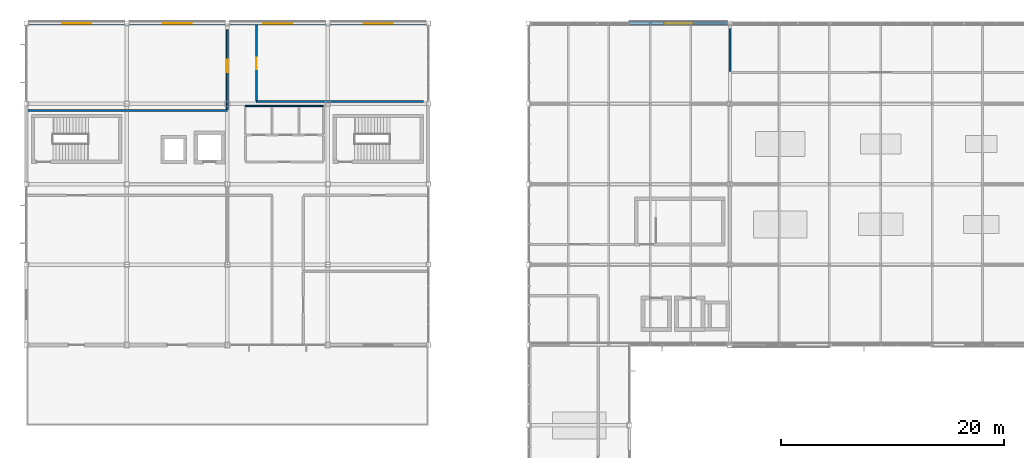
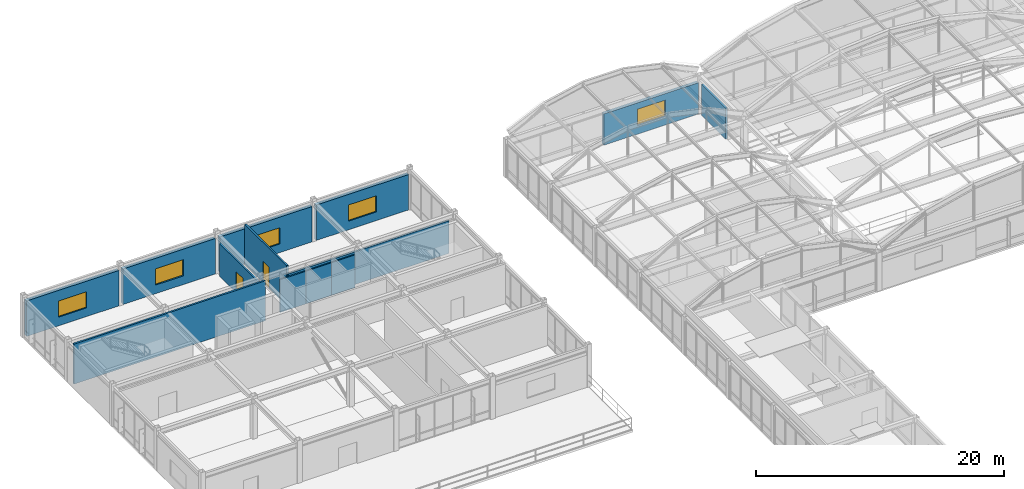
# One storey, part 88 of 106: 13 walls, 5 windows, 2 doors, 7 openings.
"""IFC4 building model written with IfcOpenShell, lengths in metres."""

from ifc_helpers import new_model, si_unit, direction, frame, frame_2d, origin, place, context, subcontext, project, spatial, rectangle, extrude, material, layer, layer_set, type_object, element, fill, save


model = new_model("IFC4")

# Units and contexts
model_context = context("Model", 3, precision=1e-05, world=origin(), true_north=direction((0.0, 1.0)))
body_context = subcontext(model_context, "Body", "Model", "MODEL_VIEW")
ifc_project = project(units=[si_unit("LENGTHUNIT", "METRE"), si_unit("AREAUNIT", "SQUARE_METRE"), si_unit("VOLUMEUNIT", "CUBIC_METRE"), si_unit("PLANEANGLEUNIT", "RADIAN"), si_unit("MASSUNIT", "GRAM", prefix="KILO")], contexts=[model_context])

# Site, building, storey
site_placement = place(None, origin())
site = spatial("IfcSite", under=ifc_project, at=site_placement, CompositionType="ELEMENT")
building_placement = place(site_placement, origin())
building = spatial("IfcBuilding", under=site, at=building_placement, Name="Kazanami Central Library", CompositionType="ELEMENT")
storey_placement = place(building_placement, frame((0.0, 0.0, 12.800048828125)))
storey = spatial("IfcBuildingStorey", under=building, at=storey_placement, Name="L04", CompositionType="ELEMENT", Elevation=12.800048828125)

# Wall, opening, window
ifc_material_1 = material(Name="Concrete Fc36 (36 MPa)", Category="concrete")
ifc_layer_1 = layer(ifc_material_1, 0.239990234375, Name="Concrete Fc36 (36 MPa)")
ifc_material_2 = material(Name="Extruded Polystyrene XPS", Category="earth")
ifc_layer_2 = layer(ifc_material_2, 0.050048828125, Name="Extruded Polystyrene XPS")
ifc_material_3 = material(Name="Honed Inada Granite", Category="masonry")
ifc_layer_3 = layer(ifc_material_3, 0.030029296875, Name="Honed Inada Granite")
ifc_layer_set_1 = layer_set([ifc_layer_1, ifc_layer_2, ifc_layer_3], Name="Concrete Fc36 (36 MPa)")
wall_type_1 = type_object("IfcWallType", Name="WAL-EW-320", PredefinedType="STANDARD", material=ifc_layer_set_1)
wall_1_placement = place(storey_placement, frame((8.800048828125, 93.60009765625, 0.0), z_axis=(0.0, 0.0, 1.0), x_axis=(-1.0, 0.0, 0.0)))
wall_1 = element("IfcWall", 1, at=wall_1_placement, inside=storey, type_object=wall_type_1, Name="Exterior Facade Wall EW-320 L04 N-O-00", PredefinedType="STANDARD", context=body_context, shape_type="SweptSolid", body=[
    extrude(rectangle(XDim=8.60009765625, YDim=0.320068359375, at=frame_2d((4.300048828125, 0.0))), origin(), (0.0, 0.0, 1.0), 3.489990234375),
])
opening_1_placement = place(wall_1_placement, frame((3.0, 0.0, 0.85009765625)))
opening_1 = element("IfcOpeningElement", 2, at=opening_1_placement, cuts=wall_1, Name="Opening WN-13", PredefinedType="OPENING", context=body_context, shape_type="SweptSolid", body=[
    extrude(rectangle(XDim=2.60009765625, YDim=1.60009765625, at=frame_2d((1.300048828125, 0.800048828125))), frame((0.0, 0.171875, 0.0), z_axis=(0.0, -1.0, 0.0), x_axis=(1.0, 0.0, 0.0)), (0.0, 0.0, 1.0), 0.343994140625),
])
ifc_material_4 = material(Name="Low-E Insulated Triple Glass", Category="glass")
window_type = type_object("IfcWindowType", Name="WIN-WN-13", PartitioningType="DOUBLE_PANEL_VERTICAL", PredefinedType="WINDOW", material=ifc_material_4)
window_1_placement = place(opening_1_placement, origin())
window_1 = element("IfcWindow", 3, at=window_1_placement, inside=storey, type_object=window_type, Name="Facade Window WN-13 L04 N-O-00", OverallHeight=1.60009765625, OverallWidth=2.60009765625, PartitioningType="DOUBLE_PANEL_VERTICAL", PredefinedType="WINDOW", context=body_context, shape_type="SweptSolid", body=[
    extrude(rectangle(XDim=2.60009765625, YDim=1.60009765625, at=frame_2d((1.300048828125, 0.800048828125))), frame((0.0, 0.030029296875, 0.0), z_axis=(0.0, -1.0, 0.0), x_axis=(1.0, 0.0, 0.0)), (0.0, 0.0, 1.0), 0.06005859375),
])
fill(opening_1, window_1)

wall_2_placement = place(storey_placement, frame((17.800048828125, 93.60009765625, 0.0), z_axis=(0.0, 0.0, 1.0), x_axis=(-1.0, 0.0, 0.0)))
wall_2 = element("IfcWall", 4, at=wall_2_placement, inside=storey, type_object=wall_type_1, Name="Exterior Facade Wall EW-320 L04 N-O-01", PredefinedType="STANDARD", context=body_context, shape_type="SweptSolid", body=[
    extrude(rectangle(XDim=8.60009765625, YDim=0.320068359375, at=frame_2d((4.300048828125, 0.0))), origin(), (0.0, 0.0, 1.0), 3.489990234375),
])
opening_2_placement = place(wall_2_placement, frame((3.0, 0.0, 0.85009765625)))
opening_2 = element("IfcOpeningElement", 5, at=opening_2_placement, cuts=wall_2, Name="Opening WN-13", PredefinedType="OPENING", context=body_context, shape_type="SweptSolid", body=[
    extrude(rectangle(XDim=2.60009765625, YDim=1.60009765625, at=frame_2d((1.300048828125, 0.800048828125))), frame((0.0, 0.171875, 0.0), z_axis=(0.0, -1.0, 0.0), x_axis=(1.0, 0.0, 0.0)), (0.0, 0.0, 1.0), 0.343994140625),
])
window_2_placement = place(opening_2_placement, origin())
window_2 = element("IfcWindow", 6, at=window_2_placement, inside=storey, type_object=window_type, Name="Facade Window WN-13 L04 N-O-01", OverallHeight=1.60009765625, OverallWidth=2.60009765625, PartitioningType="DOUBLE_PANEL_VERTICAL", PredefinedType="WINDOW", context=body_context, shape_type="SweptSolid", body=[
    extrude(rectangle(XDim=2.60009765625, YDim=1.60009765625, at=frame_2d((1.300048828125, 0.800048828125))), frame((0.0, 0.030029296875, 0.0), z_axis=(0.0, -1.0, 0.0), x_axis=(1.0, 0.0, 0.0)), (0.0, 0.0, 1.0), 0.06005859375),
])
fill(opening_2, window_2)

wall_3_placement = place(storey_placement, frame((26.800048828125, 93.60009765625, 0.0), z_axis=(0.0, 0.0, 1.0), x_axis=(-1.0, 0.0, 0.0)))
wall_3 = element("IfcWall", 7, at=wall_3_placement, inside=storey, type_object=wall_type_1, Name="Exterior Facade Wall EW-320 L04 N-O-02", PredefinedType="STANDARD", context=body_context, shape_type="SweptSolid", body=[
    extrude(rectangle(XDim=8.60009765625, YDim=0.320068359375, at=frame_2d((4.300048828125, 0.0))), origin(), (0.0, 0.0, 1.0), 3.489990234375),
])
opening_3_placement = place(wall_3_placement, frame((3.0, 0.0, 0.85009765625)))
opening_3 = element("IfcOpeningElement", 8, at=opening_3_placement, cuts=wall_3, Name="Opening WN-13", PredefinedType="OPENING", context=body_context, shape_type="SweptSolid", body=[
    extrude(rectangle(XDim=2.60009765625, YDim=1.60009765625, at=frame_2d((1.300048828125, 0.800048828125))), frame((0.0, 0.171875, 0.0), z_axis=(0.0, -1.0, 0.0), x_axis=(1.0, 0.0, 0.0)), (0.0, 0.0, 1.0), 0.343994140625),
])
window_3_placement = place(opening_3_placement, origin())
window_3 = element("IfcWindow", 9, at=window_3_placement, inside=storey, type_object=window_type, Name="Facade Window WN-13 L04 N-O-02", OverallHeight=1.60009765625, OverallWidth=2.60009765625, PartitioningType="DOUBLE_PANEL_VERTICAL", PredefinedType="WINDOW", context=body_context, shape_type="SweptSolid", body=[
    extrude(rectangle(XDim=2.60009765625, YDim=1.60009765625, at=frame_2d((1.300048828125, 0.800048828125))), frame((0.0, 0.030029296875, 0.0), z_axis=(0.0, -1.0, 0.0), x_axis=(1.0, 0.0, 0.0)), (0.0, 0.0, 1.0), 0.06005859375),
])
fill(opening_3, window_3)

wall_4_placement = place(storey_placement, frame((35.800048828125, 93.60009765625, 0.0), z_axis=(0.0, 0.0, 1.0), x_axis=(-1.0, 0.0, 0.0)))
wall_4 = element("IfcWall", 10, at=wall_4_placement, inside=storey, type_object=wall_type_1, Name="Exterior Facade Wall EW-320 L04 N-O-03", PredefinedType="STANDARD", context=body_context, shape_type="SweptSolid", body=[
    extrude(rectangle(XDim=8.60009765625, YDim=0.320068359375, at=frame_2d((4.300048828125, 0.0))), origin(), (0.0, 0.0, 1.0), 3.489990234375),
])
opening_4_placement = place(wall_4_placement, frame((3.0, 0.0, 0.85009765625)))
opening_4 = element("IfcOpeningElement", 11, at=opening_4_placement, cuts=wall_4, Name="Opening WN-13", PredefinedType="OPENING", context=body_context, shape_type="SweptSolid", body=[
    extrude(rectangle(XDim=2.60009765625, YDim=1.60009765625, at=frame_2d((1.300048828125, 0.800048828125))), frame((0.0, 0.171875, 0.0), z_axis=(0.0, -1.0, 0.0), x_axis=(1.0, 0.0, 0.0)), (0.0, 0.0, 1.0), 0.343994140625),
])
window_4_placement = place(opening_4_placement, origin())
window_4 = element("IfcWindow", 12, at=window_4_placement, inside=storey, type_object=window_type, Name="Facade Window WN-13 L04 N-O-03", OverallHeight=1.60009765625, OverallWidth=2.60009765625, PartitioningType="DOUBLE_PANEL_VERTICAL", PredefinedType="WINDOW", context=body_context, shape_type="SweptSolid", body=[
    extrude(rectangle(XDim=2.60009765625, YDim=1.60009765625, at=frame_2d((1.300048828125, 0.800048828125))), frame((0.0, 0.030029296875, 0.0), z_axis=(0.0, -1.0, 0.0), x_axis=(1.0, 0.0, 0.0)), (0.0, 0.0, 1.0), 0.06005859375),
])
fill(opening_4, window_4)

wall_5_placement = place(storey_placement, frame((62.800048828125, 93.60009765625, 0.0), z_axis=(0.0, 0.0, 1.0), x_axis=(-1.0, 0.0, 0.0)))
wall_5 = element("IfcWall", 13, at=wall_5_placement, inside=storey, type_object=wall_type_1, Name="Exterior Facade Wall EW-320 L04 N-O-06", PredefinedType="STANDARD", context=body_context, shape_type="SweptSolid", body=[
    extrude(rectangle(XDim=8.800048828125, YDim=0.320068359375, at=frame_2d((4.39990234375, 0.0))), origin(), (0.0, 0.0, 1.0), 3.079833984375),
])
opening_5_placement = place(wall_5_placement, frame((3.10009765625, 0.0, 0.85009765625)))
opening_5 = element("IfcOpeningElement", 14, at=opening_5_placement, cuts=wall_5, Name="Opening WN-13", PredefinedType="OPENING", context=body_context, shape_type="SweptSolid", body=[
    extrude(rectangle(XDim=2.60009765625, YDim=1.60009765625, at=frame_2d((1.300048828125, 0.800048828125))), frame((0.0, 0.171875, 0.0), z_axis=(0.0, -1.0, 0.0), x_axis=(1.0, 0.0, 0.0)), (0.0, 0.0, 1.0), 0.343994140625),
])
window_5_placement = place(opening_5_placement, origin())
window_5 = element("IfcWindow", 15, at=window_5_placement, inside=storey, type_object=window_type, Name="Facade Window WN-13 L04 N-O-06", OverallHeight=1.60009765625, OverallWidth=2.60009765625, PartitioningType="DOUBLE_PANEL_VERTICAL", PredefinedType="WINDOW", context=body_context, shape_type="SweptSolid", body=[
    extrude(rectangle(XDim=2.60009765625, YDim=1.60009765625, at=frame_2d((1.300048828125, 0.800048828125))), frame((0.0, 0.030029296875, 0.0), z_axis=(0.0, -1.0, 0.0), x_axis=(1.0, 0.0, 0.0)), (0.0, 0.0, 1.0), 0.06005859375),
])
fill(opening_5, window_5)

# Wall
ifc_material_5 = material(Name="Fire-Resistant Gypsum Board GB-F", Category="gypsum")
ifc_layer_4 = layer(ifc_material_5, 0.1650390625, Name="Fire-Resistant Gypsum Board GB-F")
ifc_layer_set_2 = layer_set([ifc_layer_4], Name="Fire-Resistant Gypsum Board GB-F")
wall_type_2 = type_object("IfcWallType", Name="WAL-FW-165", PredefinedType="PARTITIONING", material=ifc_layer_set_2)
wall_6_placement = place(storey_placement, frame((0.155029296875, 85.800048828125, 0.0), z_axis=(0.0, 0.0, 1.0), x_axis=(1.0, 0.0, 0.0)))
element("IfcWall", 16, at=wall_6_placement, inside=storey, type_object=wall_type_2, Name="Interior Partition FW-165 L04 RM-07 (South)", PredefinedType="PARTITIONING", context=body_context, shape_type="SweptSolid", body=[
    extrude(rectangle(XDim=17.844970703125, YDim=0.1650390625, at=frame_2d((8.92236328125, 0.0))), origin(), (0.0, 0.0, 1.0), 3.93994140625),
])

# Wall, opening, door
wall_7_placement = place(storey_placement, frame((18.0, 85.889892578125, 0.0), z_axis=(0.0, 0.0, 1.0), x_axis=(0.0, 1.0, 0.0)))
wall_7 = element("IfcWall", 17, at=wall_7_placement, inside=storey, type_object=wall_type_2, Name="Interior Partition FW-165 L04 RM-07 (East)", PredefinedType="PARTITIONING", context=body_context, shape_type="SweptSolid", body=[
    extrude(rectangle(XDim=7.125, YDim=0.1650390625, at=frame_2d((3.5625, 0.0))), origin(), (0.0, 0.0, 1.0), 3.219970703125),
])
opening_6_placement = place(wall_7_placement, frame((3.35009765625, 0.0, 0.0)))
opening_6 = element("IfcOpeningElement", 18, at=opening_6_placement, cuts=wall_7, Name="Opening FD30-8", PredefinedType="OPENING", context=body_context, shape_type="SweptSolid", body=[
    extrude(rectangle(XDim=1.1201171875, YDim=2.080078125, at=frame_2d((0.56005859375, 1.0400390625))), frame((0.0, 0.094482421875, 0.0), z_axis=(0.0, -1.0, 0.0), x_axis=(1.0, 0.0, 0.0)), (0.0, 0.0, 1.0), 0.18896484375),
])
ifc_material_6 = material(Name="Cold-Rolled Steel SPCC", Category="steel")
door_type_1 = type_object("IfcDoorType", Name="DOR-FD30-8", OperationType="NOTDEFINED", PredefinedType="DOOR", material=ifc_material_6)
door_1_placement = place(opening_6_placement, origin())
door_1 = element("IfcDoor", 19, at=door_1_placement, inside=storey, type_object=door_type_1, Name="Interior Door FD30-8 L04 RM-07", OperationType="SINGLE_SWING_RIGHT", OverallHeight=2.080078125, OverallWidth=1.1201171875, PredefinedType="DOOR", context=body_context, shape_type="SweptSolid", body=[
    extrude(rectangle(XDim=1.1201171875, YDim=2.080078125, at=frame_2d((0.56005859375, 1.0400390625))), frame((0.0, 0.02490234375, 0.0), z_axis=(0.0, -1.0, 0.0), x_axis=(1.0, 0.0, 0.0)), (0.0, 0.0, 1.0), 0.050048828125),
])
fill(opening_6, door_1)

# Wall
wall_8_placement = place(storey_placement, frame((20.60009765625, 86.60009765625, 0.0), z_axis=(0.0, 0.0, 1.0), x_axis=(1.0, 0.0, 0.0)))
element("IfcWall", 20, at=wall_8_placement, inside=storey, type_object=wall_type_2, Name="Interior Partition FW-165 L04 RM-08 (South)", PredefinedType="PARTITIONING", context=body_context, shape_type="SweptSolid", body=[
    extrude(rectangle(XDim=14.94482421875, YDim=0.1650390625, at=frame_2d((7.472412109375, 0.0))), origin(), (0.0, 0.0, 1.0), 3.219970703125),
])

# Wall, opening, door
wall_9_placement = place(storey_placement, frame((20.60009765625, 86.68994140625, 0.0), z_axis=(0.0, 0.0, 1.0), x_axis=(0.0, 1.0, 0.0)))
wall_9 = element("IfcWall", 21, at=wall_9_placement, inside=storey, type_object=wall_type_2, Name="Interior Partition FW-165 L04 RM-08 (West)", PredefinedType="PARTITIONING", context=body_context, shape_type="SweptSolid", body=[
    extrude(rectangle(XDim=6.7451171875, YDim=0.1650390625, at=frame_2d((3.37255859375, 0.0))), origin(), (0.0, 0.0, 1.0), 3.93994140625),
])
opening_7_placement = place(wall_9_placement, frame((2.81005859375, 0.0, 0.0)))
opening_7 = element("IfcOpeningElement", 22, at=opening_7_placement, cuts=wall_9, Name="Opening FD30-2", PredefinedType="OPENING", context=body_context, shape_type="SweptSolid", body=[
    extrude(rectangle(XDim=1.0, YDim=2.080078125, at=frame_2d((0.5, 1.0400390625))), frame((0.0, 0.094482421875, 0.0), z_axis=(0.0, -1.0, 0.0), x_axis=(1.0, 0.0, 0.0)), (0.0, 0.0, 1.0), 0.18896484375),
])
door_type_2 = type_object("IfcDoorType", Name="DOR-FD30-2", OperationType="NOTDEFINED", PredefinedType="DOOR", material=ifc_material_6)
door_2_placement = place(opening_7_placement, origin())
door_2 = element("IfcDoor", 23, at=door_2_placement, inside=storey, type_object=door_type_2, Name="Interior Door FD30-2 L04 RM-08", OperationType="SINGLE_SWING_LEFT", OverallHeight=2.080078125, OverallWidth=1.0, PredefinedType="DOOR", context=body_context, shape_type="SweptSolid", body=[
    extrude(rectangle(XDim=1.0, YDim=2.080078125, at=frame_2d((0.5, 1.0400390625))), frame((0.0, 0.02490234375, 0.0), z_axis=(0.0, -1.0, 0.0), x_axis=(1.0, 0.0, 0.0)), (0.0, 0.0, 1.0), 0.050048828125),
])
fill(opening_7, door_2)

# Walls
ifc_layer_5 = layer(ifc_material_5, 0.179931640625, Name="Fire-Resistant Gypsum Board GB-F")
ifc_layer_set_3 = layer_set([ifc_layer_5], Name="Fire-Resistant Gypsum Board GB-F")
wall_type_3 = type_object("IfcWallType", Name="WAL-FW-180", PredefinedType="PARTITIONING", material=ifc_layer_set_3)
wall_10_placement = place(storey_placement, frame((63.0, 89.2900390625, 0.0), z_axis=(0.0, 0.0, 1.0), x_axis=(0.0, 1.0, 0.0)))
element("IfcWall", 24, at=wall_10_placement, inside=storey, type_object=wall_type_3, Name="Interior Partition FW-180 L04 RM-21 (West)", PredefinedType="PARTITIONING", context=body_context, shape_type="SweptSolid", body=[
    extrude(rectangle(XDim=3.85498046875, YDim=0.179931640625, at=frame_2d((1.927490234375, 0.0))), origin(), (0.0, 0.0, 1.0), 3.06005859375),
])
ifc_material_7 = material(Name="Gypsum Plasterboard GB-R", Category="gypsum")
ifc_layer_6 = layer(ifc_material_7, 0.125, Name="Gypsum Plasterboard GB-R")
ifc_layer_set_4 = layer_set([ifc_layer_6], Name="Gypsum Plasterboard GB-R")
wall_type_4 = type_object("IfcWallType", Name="WAL-PW-125", PredefinedType="PARTITIONING", material=ifc_layer_set_4)
for number, where, z_axis, x_axis, name in (
    (25, (19.60009765625, 86.199951171875, 0.0), (0.0, 0.0, 1.0), (1.0, 0.0, 0.0), "Interior Partition PW-125 L04 WC-V4-M (North)"),
    (26, (22.0, 86.199951171875, 0.0), (0.0, 0.0, 1.0), (1.0, 0.0, 0.0), "Interior Partition PW-125 L04 WC-V4-F (North)"),
):
    element("IfcWall", number, at=place(storey_placement, frame(where, z_axis=z_axis, x_axis=x_axis)), inside=storey, type_object=wall_type_4, Name=name, PredefinedType="PARTITIONING", context=body_context, shape_type="SweptSolid", body=[
        extrude(rectangle(XDim=2.39990234375, YDim=0.125, at=frame_2d((1.199951171875, 0.0))), origin(), (0.0, 0.0, 1.0), 3.219970703125),
    ])
wall_11_placement = place(storey_placement, frame((24.39990234375, 86.199951171875, 0.0), z_axis=(0.0, 0.0, 1.0), x_axis=(1.0, 0.0, 0.0)))
element("IfcWall", 27, at=wall_11_placement, inside=storey, type_object=wall_type_4, Name="Interior Partition PW-125 L04 WC-V4-ACC (North)", PredefinedType="PARTITIONING", context=body_context, shape_type="SweptSolid", body=[
    extrude(rectangle(XDim=2.2001953125, YDim=0.125, at=frame_2d((1.10009765625, 0.0))), origin(), (0.0, 0.0, 1.0), 3.219970703125),
])

save(model, "model.ifc")
